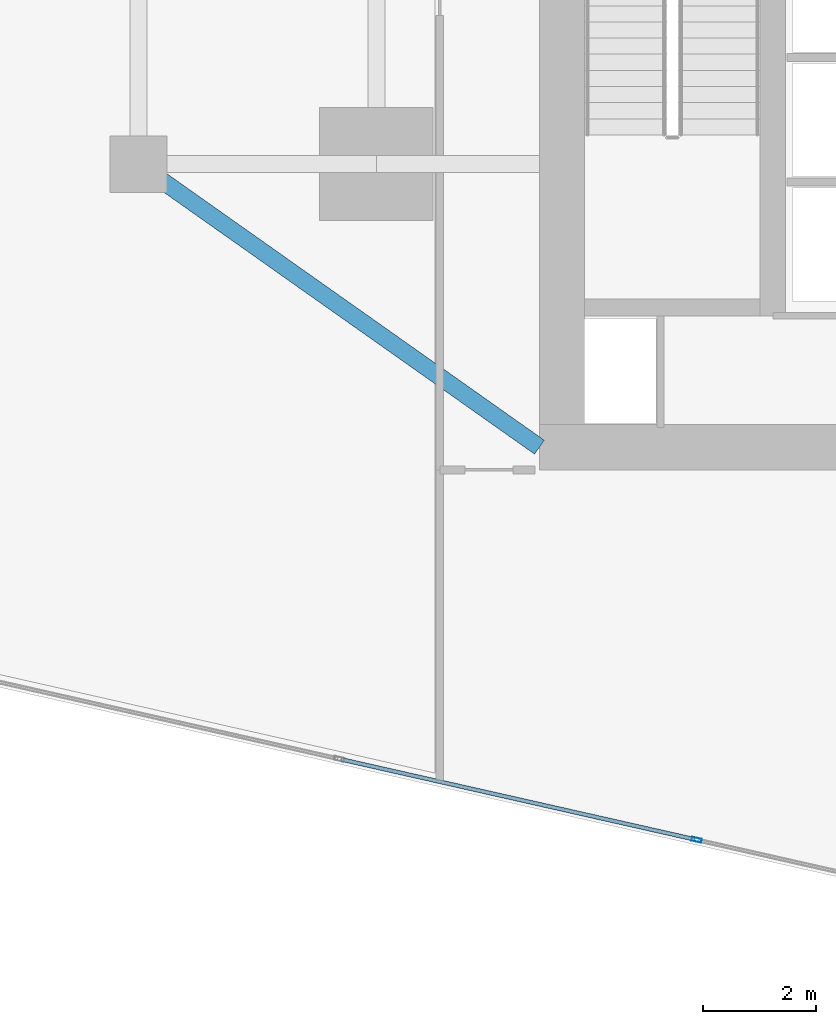
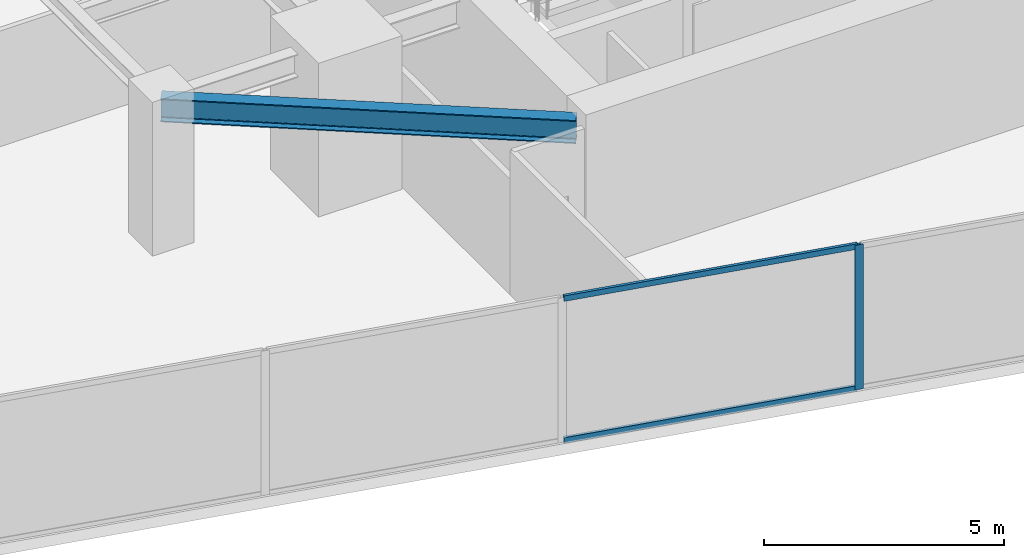
# One storey, part 4 of 27: 3 members, 1 beam, 1 element without a shape of its own.
"""IFC4 building model written with IfcOpenShell, lengths in metres."""

from ifc_helpers import new_model, si_unit, direction, frame, origin, origin_2d, place, context, subcontext, project, spatial, hollow_rectangle, i_section, extrude, source, transform, mapped, material, material_profile, profile_set, type_object, type_shapes, element, aggregate, save


model = new_model("IFC4")

# Units and contexts
model_context = context("Model", 3, precision=1e-05, world=origin(), true_north=direction((0.0, 1.0)))
body_context = subcontext(model_context, "Body", "Model", "MODEL_VIEW")
ifc_project = project(units=[si_unit("LENGTHUNIT", "METRE"), si_unit("AREAUNIT", "SQUARE_METRE"), si_unit("VOLUMEUNIT", "CUBIC_METRE"), si_unit("PLANEANGLEUNIT", "RADIAN"), si_unit("MASSUNIT", "GRAM", prefix="KILO")], contexts=[model_context])

# Site, building, storey
site_placement = place(None, origin())
site = spatial("IfcSite", under=ifc_project, at=site_placement, CompositionType="ELEMENT")
building_placement = place(site_placement, origin())
building = spatial("IfcBuilding", under=site, at=building_placement, Name="Krantzveldt Concourse Tower", CompositionType="ELEMENT")
storey_placement = place(building_placement, frame((0.0, 0.0, 86.10009765625)))
storey = spatial("IfcBuildingStorey", under=building, at=storey_placement, Name="L20", CompositionType="ELEMENT", Elevation=86.10009765625)

# Beam
ifc_material_1 = material(Name="Steel S355JR", Category="steel")
ifc_material_profile_1 = material_profile(ifc_material_1, i_section(OverallWidth=0.300048828125, OverallDepth=0.590087890625, WebThickness=0.012939453125, FlangeThickness=0.02490234375, FilletRadius=0.027099609375, at=origin_2d()), Name="Steel S355JR", Category="steel")
ifc_profile_set_1 = profile_set([ifc_material_profile_1], Name="Steel S355JR - HEA 600")
beam_type = type_object("IfcBeamType", Name="BM-B-HEA600", PredefinedType="BEAM", material=ifc_profile_set_1)
shared_shape_1 = source(origin(), body_context, "Body", "SweptSolid", [
    extrude(i_section(OverallWidth=0.300048828125, OverallDepth=0.590087890625, WebThickness=0.012939453125, FlangeThickness=0.02490234375, FilletRadius=0.027099609375, at=origin_2d()), origin(), (0.0, 0.0, 1.0), 8.667724609375),
])
type_shapes(beam_type, [shared_shape_1])
beam_placement = place(storey_placement, frame((21.0, 15.89990234375, 3.375), z_axis=(0.81684294656, -0.576860122261, 0.0), x_axis=(0.576860122261, 0.81684294656, 0.0)))
element("IfcBeam", 1, at=beam_placement, inside=storey, type_object=beam_type, Name="L20 Tower Girder BR-CSW", PredefinedType="BEAM", context=body_context, shape_type="MappedRepresentation", body=[
    mapped(shared_shape_1, transform((0.0, 0.0, 0.0), x_axis=(1.0, 0.0, 0.0), y_axis=(0.0, 1.0, 0.0), z_axis=(0.0, 0.0, 1.0), scale=1.0)),
])

# Curtain wall, members
ifc_material_2 = material(Name="Anodised aluminium 6063-T6", Category="aluminium")
curtain_wall_type = type_object("IfcCurtainWallType", Name="CW2", PredefinedType="USERDEFINED", material=ifc_material_2)
curtain_wall_placement = place(storey_placement, origin())
curtain_wall = element("IfcCurtainWall", 2, at=curtain_wall_placement, inside=storey, type_object=curtain_wall_type, Name="CW-L20-F04", ObjectType="UNITISED CURTAIN WALL", PredefinedType="USERDEFINED")
ifc_material_profile_2 = material_profile(ifc_material_2, hollow_rectangle(XDim=0.070068359375, YDim=0.179931640625, WallThickness=0.0048828125, at=origin_2d()), Name="Anodised aluminium 6063-T6", Category="aluminium")
ifc_profile_set_2 = profile_set([ifc_material_profile_2], Name="Anodised aluminium 6063-T6 - ALU-MULL 180x70x5")
member_type_1 = type_object("IfcMemberType", Name="CW-MUL-180", PredefinedType="MULLION", material=ifc_profile_set_2)
shared_shape_2 = source(origin(), body_context, "Body", "SweptSolid", [
    extrude(hollow_rectangle(XDim=0.070068359375, YDim=0.179931640625, WallThickness=0.0048828125, at=origin_2d()), origin(), (0.0, 0.0, 1.0), 3.669921875),
])
type_shapes(member_type_1, [shared_shape_2])
member_1_placement = place(storey_placement, frame((30.85546875, 3.96484375, 0.0), z_axis=(0.0, 0.0, 1.0), x_axis=(0.220697434579, 0.975342320609, 0.0)))
member_1 = element("IfcMember", 3, at=member_1_placement, type_object=member_type_1, Name="CW-Z12 mullion 4", PredefinedType="MULLION", context=body_context, shape_type="MappedRepresentation", body=[
    mapped(shared_shape_2, transform((0.0, 0.0, 0.0), x_axis=(1.0, 0.0, 0.0), y_axis=(0.0, 1.0, 0.0), z_axis=(0.0, 0.0, 1.0), scale=1.0)),
])
ifc_material_profile_3 = material_profile(ifc_material_2, hollow_rectangle(XDim=0.070068359375, YDim=0.139892578125, WallThickness=0.0048828125, at=origin_2d()), Name="Anodised aluminium 6063-T6", Category="aluminium")
ifc_profile_set_3 = profile_set([ifc_material_profile_3], Name="Anodised aluminium 6063-T6 - ALU-TRAN 140x70x5")
member_type_2 = type_object("IfcMemberType", Name="CW-TRN-150", PredefinedType="USERDEFINED", material=ifc_profile_set_3)
shared_shape_3 = source(origin(), body_context, "Body", "SweptSolid", [
    extrude(hollow_rectangle(XDim=0.070068359375, YDim=0.139892578125, WallThickness=0.0048828125, at=origin_2d()), origin(), (0.0, 0.0, 1.0), 6.396484375),
])
type_shapes(member_type_2, [shared_shape_3])
member_2_placement = place(storey_placement, frame((24.58251953125, 5.38427734375, 0.034912109375), z_axis=(0.975336403615, -0.2207235823, 0.0), x_axis=(0.2207235823, 0.975336403615, 0.0)))
member_2 = element("IfcMember", 4, at=member_2_placement, type_object=member_type_2, Name="CW-Z12 transom 3.1", ObjectType="TRANSOM", PredefinedType="USERDEFINED", context=body_context, shape_type="MappedRepresentation", body=[
    mapped(shared_shape_3, transform((0.0, 0.0, 0.0), x_axis=(1.0, 0.0, 0.0), y_axis=(0.0, 1.0, 0.0), z_axis=(0.0, 0.0, 1.0), scale=1.0)),
])
member_3_placement = place(storey_placement, frame((24.58251953125, 5.38427734375, 3.635009765625), z_axis=(0.975336403615, -0.2207235823, 0.0), x_axis=(0.2207235823, 0.975336403615, 0.0)))
member_3 = element("IfcMember", 5, at=member_3_placement, type_object=member_type_2, Name="CW-Z12 transom 3.2", ObjectType="TRANSOM", PredefinedType="USERDEFINED", context=body_context, shape_type="MappedRepresentation", body=[
    mapped(shared_shape_3, transform((0.0, 0.0, 0.0), x_axis=(1.0, 0.0, 0.0), y_axis=(0.0, 1.0, 0.0), z_axis=(0.0, 0.0, 1.0), scale=1.0)),
])
aggregate(curtain_wall, [member_1, member_2, member_3])

save(model, "model.ifc")
